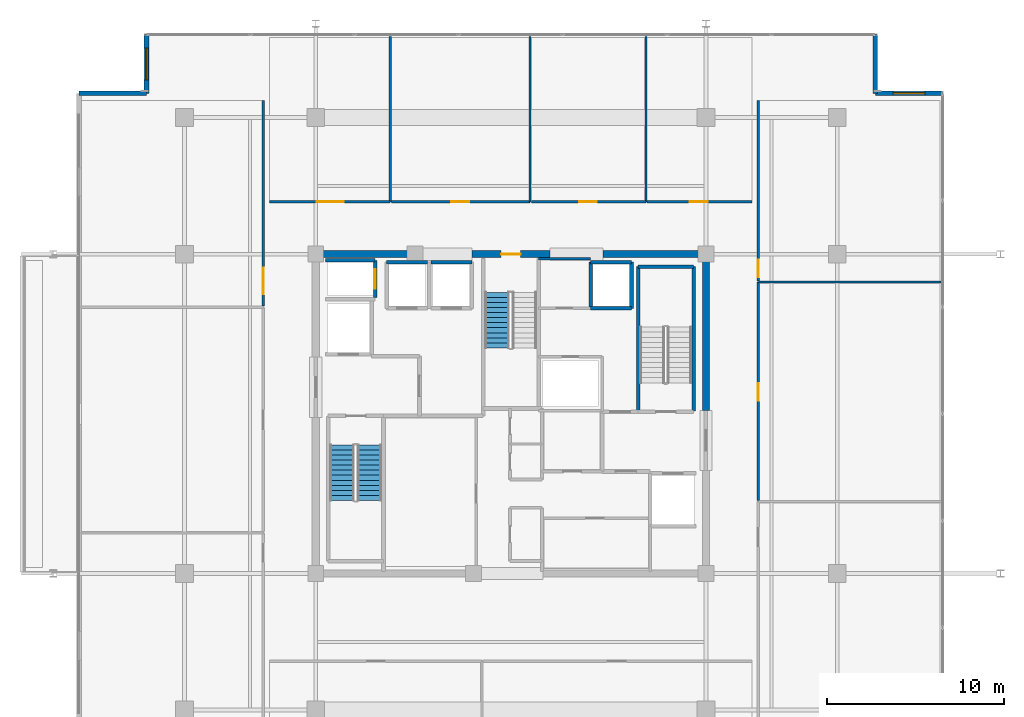
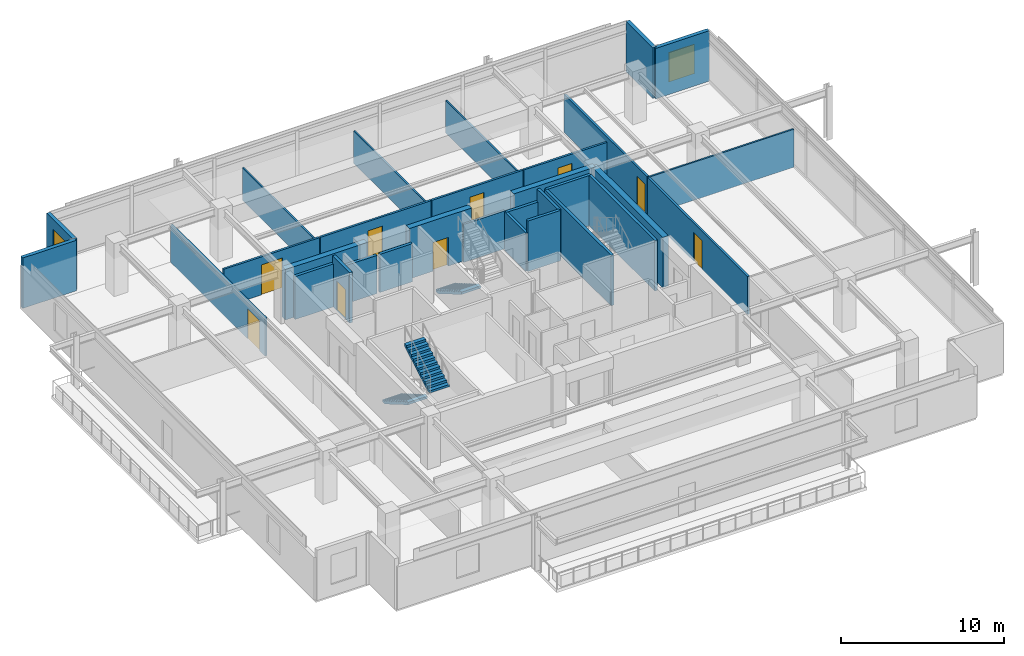
# One storey, part 16 of 21: 31 walls, 9 doors, 3 stair flights, 2 windows, 11 openings, 2 elements without a shape of their own.
"""IFC4 building model written with IfcOpenShell, lengths in metres."""

from ifc_helpers import new_model, si_unit, direction, frame, frame_2d, origin, place, context, subcontext, project, spatial, polyline, rectangle, outline, extrude, material, layer, layer_set, type_object, element, fill, aggregate, save


model = new_model("IFC4")

# Units and contexts
model_context = context("Model", 3, precision=1e-05, world=origin(), true_north=direction((0.0, 1.0)))
body_context = subcontext(model_context, "Body", "Model", "MODEL_VIEW")
ifc_project = project(units=[si_unit("LENGTHUNIT", "METRE"), si_unit("AREAUNIT", "SQUARE_METRE"), si_unit("VOLUMEUNIT", "CUBIC_METRE"), si_unit("PLANEANGLEUNIT", "RADIAN"), si_unit("MASSUNIT", "GRAM", prefix="KILO")], contexts=[model_context])

# Site, building, storey
site_placement = place(None, origin())
site = spatial("IfcSite", under=ifc_project, at=site_placement, CompositionType="ELEMENT")
building_placement = place(site_placement, origin())
building = spatial("IfcBuilding", under=site, at=building_placement, Name="Kovane Verandah Tower", CompositionType="ELEMENT")
storey_placement = place(building_placement, frame((0.0, 0.0, 310.800048828125)))
storey = spatial("IfcBuildingStorey", under=building, at=storey_placement, Name="L72", CompositionType="ELEMENT", Elevation=310.800048828125)

# Wall
ifc_material_1 = material(Name="Fire-Rated Gypsum Stud Partition", Category="gypsum")
ifc_layer_1 = layer(ifc_material_1, 0.14990234375)
ifc_layer_set_1 = layer_set([ifc_layer_1], Name="Fire-Rated Gypsum Stud Partition")
wall_type_1 = type_object("IfcWallType", Name="WL-COR-150", PredefinedType="PARTITIONING", material=ifc_layer_set_1)
wall_1_placement = place(storey_placement, frame((41.56005859375, 36.25, 0.0), z_axis=(0.0, 0.0, 1.0), x_axis=(1.0, 0.0, 0.0)))
element("IfcWall", 1, at=wall_1_placement, inside=storey, type_object=wall_type_1, Name="L72 Sky Telecom Riser North Wall", PredefinedType="PARTITIONING", context=body_context, shape_type="SweptSolid", body=[
    extrude(rectangle(XDim=2.93994140625, YDim=0.14990234375, at=frame_2d((1.469970703125, 0.0))), origin(), (0.0, 0.0, 1.0), 2.849853515625),
])

# Wall, opening, door
wall_2_placement = place(storey_placement, frame((26.39990234375, 39.449951171875, 0.0), z_axis=(0.0, 0.0, 1.0), x_axis=(1.0, 0.0, 0.0)))
wall_2 = element("IfcWall", 2, at=wall_2_placement, inside=storey, type_object=wall_type_1, Name="L72 Client Boardroom N1 Corridor Partition", PredefinedType="PARTITIONING", context=body_context, shape_type="SweptSolid", body=[
    extrude(rectangle(XDim=6.800048828125, YDim=0.14990234375, at=frame_2d((3.39990234375, 0.0))), origin(), (0.0, 0.0, 1.0), 2.849853515625),
])
opening_1_placement = place(wall_2_placement, frame((2.6650390625, 0.0, 0.0)))
opening_1 = element("IfcOpeningElement", 3, at=opening_1_placement, cuts=wall_2, Name="Opening DR-L72-019", PredefinedType="OPENING", context=body_context, shape_type="SweptSolid", body=[
    extrude(rectangle(XDim=1.5, YDim=2.25, at=frame_2d((0.75, 1.125))), frame((0.0, 0.074951171875, 0.0), z_axis=(0.0, -1.0, 0.0), x_axis=(1.0, 0.0, 0.0)), (0.0, 0.0, 1.0), 0.14990234375),
])
ifc_material_2 = material(Name="Glazed Timber Fire-Rated Double Door", Category="wood")
door_type_1 = type_object("IfcDoorType", Name="DR-CONF-1500", OperationType="DOUBLE_DOOR_SINGLE_SWING", PredefinedType="DOOR", material=ifc_material_2)
door_1_placement = place(opening_1_placement, origin())
door_1 = element("IfcDoor", 4, at=door_1_placement, inside=storey, type_object=door_type_1, Name="L72 Client Boardroom N1 Entrance Door", OperationType="DOUBLE_DOOR_SINGLE_SWING", OverallHeight=2.25, OverallWidth=1.5, PredefinedType="DOOR", context=body_context, shape_type="SweptSolid", body=[
    extrude(rectangle(XDim=1.5, YDim=2.25, at=frame_2d((0.75, 1.125))), frame((0.0, 0.02490234375, 0.0), z_axis=(0.0, -1.0, 0.0), x_axis=(1.0, 0.0, 0.0)), (0.0, 0.0, 1.0), 0.050048828125),
])
fill(opening_1, door_1)

wall_3_placement = place(storey_placement, frame((33.27001953125, 39.449951171875, 0.0), z_axis=(0.0, 0.0, 1.0), x_axis=(1.0, 0.0, 0.0)))
wall_3 = element("IfcWall", 5, at=wall_3_placement, inside=storey, type_object=wall_type_1, Name="L72 Meeting Room N2 Corridor Partition", PredefinedType="PARTITIONING", context=body_context, shape_type="SweptSolid", body=[
    extrude(rectangle(XDim=7.81787109375, YDim=0.14990234375, at=frame_2d((3.908935546875, 0.0))), origin(), (0.0, 0.0, 1.0), 2.849853515625),
])
opening_2_placement = place(wall_3_placement, frame((3.3740234375, 0.0, 0.0)))
opening_2 = element("IfcOpeningElement", 6, at=opening_2_placement, cuts=wall_3, Name="Opening DR-L72-020", PredefinedType="OPENING", context=body_context, shape_type="SweptSolid", body=[
    extrude(rectangle(XDim=1.0, YDim=2.14990234375, at=frame_2d((0.5, 1.074951171875))), frame((0.0, 0.074951171875, 0.0), z_axis=(0.0, -1.0, 0.0), x_axis=(1.0, 0.0, 0.0)), (0.0, 0.0, 1.0), 0.14990234375),
])
ifc_material_3 = material(Name="FSC Spotted-Gum Timber Fire-Rated Office Door", Category="wood")
door_type_2 = type_object("IfcDoorType", Name="DR-OFF-1000", OperationType="SINGLE_SWING_LEFT", PredefinedType="DOOR", material=ifc_material_3)
door_2_placement = place(opening_2_placement, origin())
door_2 = element("IfcDoor", 7, at=door_2_placement, inside=storey, type_object=door_type_2, Name="L72 Meeting Room N2 Entrance Door", OperationType="SINGLE_SWING_LEFT", OverallHeight=2.14990234375, OverallWidth=1.0, PredefinedType="DOOR", context=body_context, shape_type="SweptSolid", body=[
    extrude(rectangle(XDim=1.0, YDim=2.14990234375, at=frame_2d((0.5, 1.074951171875))), frame((0.0, 0.02490234375, 0.0), z_axis=(0.0, -1.0, 0.0), x_axis=(1.0, 0.0, 0.0)), (0.0, 0.0, 1.0), 0.050048828125),
])
fill(opening_2, door_2)

wall_4_placement = place(storey_placement, frame((41.157958984375, 39.449951171875, 0.0), z_axis=(0.0, 0.0, 1.0), x_axis=(1.0, 0.0, 0.0)))
wall_4 = element("IfcWall", 8, at=wall_4_placement, inside=storey, type_object=wall_type_1, Name="L72 Focus Studio N3 Corridor Partition", PredefinedType="PARTITIONING", context=body_context, shape_type="SweptSolid", body=[
    extrude(rectangle(XDim=6.4580078125, YDim=0.14990234375, at=frame_2d((3.22900390625, 0.0))), origin(), (0.0, 0.0, 1.0), 2.849853515625),
])
opening_3_placement = place(wall_4_placement, frame((2.694091796875, 0.0, 0.0)))
opening_3 = element("IfcOpeningElement", 9, at=opening_3_placement, cuts=wall_4, Name="Opening DR-L72-021", PredefinedType="OPENING", context=body_context, shape_type="SweptSolid", body=[
    extrude(rectangle(XDim=1.0, YDim=2.14990234375, at=frame_2d((0.5, 1.074951171875))), frame((0.0, 0.074951171875, 0.0), z_axis=(0.0, -1.0, 0.0), x_axis=(1.0, 0.0, 0.0)), (0.0, 0.0, 1.0), 0.14990234375),
])
door_3_placement = place(opening_3_placement, origin())
door_3 = element("IfcDoor", 10, at=door_3_placement, inside=storey, type_object=door_type_2, Name="L72 Focus Studio N3 Entrance Door", OperationType="SINGLE_SWING_RIGHT", OverallHeight=2.14990234375, OverallWidth=1.0, PredefinedType="DOOR", context=body_context, shape_type="SweptSolid", body=[
    extrude(rectangle(XDim=1.0, YDim=2.14990234375, at=frame_2d((0.5, 1.074951171875))), frame((0.0, 0.02490234375, 0.0), z_axis=(0.0, -1.0, 0.0), x_axis=(1.0, 0.0, 0.0)), (0.0, 0.0, 1.0), 0.050048828125),
])
fill(opening_3, door_3)

wall_5_placement = place(storey_placement, frame((47.68603515625, 39.449951171875, 0.0), z_axis=(0.0, 0.0, 1.0), x_axis=(1.0, 0.0, 0.0)))
wall_5 = element("IfcWall", 11, at=wall_5_placement, inside=storey, type_object=wall_type_1, Name="L72 Breakout Pantry N4 Corridor Partition", PredefinedType="PARTITIONING", context=body_context, shape_type="SweptSolid", body=[
    extrude(rectangle(XDim=5.9140625, YDim=0.14990234375, at=frame_2d((2.95703125, 0.0))), origin(), (0.0, 0.0, 1.0), 2.849853515625),
])
opening_4_placement = place(wall_5_placement, frame((2.406982421875, 0.0, 0.0)))
opening_4 = element("IfcOpeningElement", 12, at=opening_4_placement, cuts=wall_5, Name="Opening DR-L72-022", PredefinedType="OPENING", context=body_context, shape_type="SweptSolid", body=[
    extrude(rectangle(XDim=1.0, YDim=2.14990234375, at=frame_2d((0.5, 1.074951171875))), frame((0.0, 0.074951171875, 0.0), z_axis=(0.0, -1.0, 0.0), x_axis=(1.0, 0.0, 0.0)), (0.0, 0.0, 1.0), 0.14990234375),
])
door_4_placement = place(opening_4_placement, origin())
door_4 = element("IfcDoor", 13, at=door_4_placement, inside=storey, type_object=door_type_2, Name="L72 Breakout Pantry N4 Entrance Door", OperationType="SINGLE_SWING_LEFT", OverallHeight=2.14990234375, OverallWidth=1.0, PredefinedType="DOOR", context=body_context, shape_type="SweptSolid", body=[
    extrude(rectangle(XDim=1.0, YDim=2.14990234375, at=frame_2d((0.5, 1.074951171875))), frame((0.0, 0.02490234375, 0.0), z_axis=(0.0, -1.0, 0.0), x_axis=(1.0, 0.0, 0.0)), (0.0, 0.0, 1.0), 0.050048828125),
])
fill(opening_4, door_4)

wall_6_placement = place(storey_placement, frame((26.050048828125, 33.57861328125, 0.0), z_axis=(0.0, 0.0, 1.0), x_axis=(0.0, 1.0, 0.0)))
wall_6 = element("IfcWall", 14, at=wall_6_placement, inside=storey, type_object=wall_type_1, Name="L72 Client Boardroom W3 Corridor Partition", PredefinedType="PARTITIONING", context=body_context, shape_type="SweptSolid", body=[
    extrude(rectangle(XDim=11.593505859375, YDim=0.14990234375, at=frame_2d((5.796875, 0.0))), origin(), (0.0, 0.0, 1.0), 2.849853515625),
])
opening_5_placement = place(wall_6_placement, frame((0.660888671875, 0.0, 0.0)))
opening_5 = element("IfcOpeningElement", 15, at=opening_5_placement, cuts=wall_6, Name="Opening DR-L72-030", PredefinedType="OPENING", context=body_context, shape_type="SweptSolid", body=[
    extrude(rectangle(XDim=1.5, YDim=2.25, at=frame_2d((0.75, 1.125))), frame((0.0, 0.074951171875, 0.0), z_axis=(0.0, -1.0, 0.0), x_axis=(1.0, 0.0, 0.0)), (0.0, 0.0, 1.0), 0.14990234375),
])
door_5_placement = place(opening_5_placement, origin())
door_5 = element("IfcDoor", 16, at=door_5_placement, inside=storey, type_object=door_type_1, Name="L72 Client Boardroom W3 Entrance Door", OperationType="DOUBLE_DOOR_SINGLE_SWING", OverallHeight=2.25, OverallWidth=1.5, PredefinedType="DOOR", context=body_context, shape_type="SweptSolid", body=[
    extrude(rectangle(XDim=1.5, YDim=2.25, at=frame_2d((0.75, 1.125))), frame((0.0, 0.02490234375, 0.0), z_axis=(0.0, -1.0, 0.0), x_axis=(1.0, 0.0, 0.0)), (0.0, 0.0, 1.0), 0.050048828125),
])
fill(opening_5, door_5)

wall_7_placement = place(storey_placement, frame((53.949951171875, 22.621826171875, 0.0), z_axis=(0.0, 0.0, 1.0), x_axis=(0.0, 1.0, 0.0)))
wall_7 = element("IfcWall", 17, at=wall_7_placement, inside=storey, type_object=wall_type_1, Name="L72 Focus Studio E2 Corridor Partition", PredefinedType="PARTITIONING", context=body_context, shape_type="SweptSolid", body=[
    extrude(rectangle(XDim=12.300537109375, YDim=0.14990234375, at=frame_2d((6.150390625, 0.0))), origin(), (0.0, 0.0, 1.0), 2.849853515625),
])
opening_6_placement = place(wall_7_placement, frame((5.615234375, 0.0, 0.0)))
opening_6 = element("IfcOpeningElement", 18, at=opening_6_placement, cuts=wall_7, Name="Opening DR-L72-012", PredefinedType="OPENING", context=body_context, shape_type="SweptSolid", body=[
    extrude(rectangle(XDim=1.0, YDim=2.14990234375, at=frame_2d((0.5, 1.074951171875))), frame((0.0, 0.074951171875, 0.0), z_axis=(0.0, -1.0, 0.0), x_axis=(1.0, 0.0, 0.0)), (0.0, 0.0, 1.0), 0.14990234375),
])
door_6_placement = place(opening_6_placement, origin())
door_6 = element("IfcDoor", 19, at=door_6_placement, inside=storey, type_object=door_type_2, Name="L72 Focus Studio E2 Entrance Door", OperationType="SINGLE_SWING_RIGHT", OverallHeight=2.14990234375, OverallWidth=1.0, PredefinedType="DOOR", context=body_context, shape_type="SweptSolid", body=[
    extrude(rectangle(XDim=1.0, YDim=2.14990234375, at=frame_2d((0.5, 1.074951171875))), frame((0.0, 0.02490234375, 0.0), z_axis=(0.0, -1.0, 0.0), x_axis=(1.0, 0.0, 0.0)), (0.0, 0.0, 1.0), 0.050048828125),
])
fill(opening_6, door_6)

wall_8_placement = place(storey_placement, frame((53.949951171875, 34.9921875, 0.0), z_axis=(0.0, 0.0, 1.0), x_axis=(0.0, 1.0, 0.0)))
wall_8 = element("IfcWall", 20, at=wall_8_placement, inside=storey, type_object=wall_type_1, Name="L72 Breakout Pantry E3 Corridor Partition", PredefinedType="PARTITIONING", context=body_context, shape_type="SweptSolid", body=[
    extrude(rectangle(XDim=10.179931640625, YDim=0.14990234375, at=frame_2d((5.08984375, 0.0))), origin(), (0.0, 0.0, 1.0), 2.849853515625),
])
opening_7_placement = place(wall_8_placement, frame((0.203857421875, 0.0, 0.0)))
opening_7 = element("IfcOpeningElement", 21, at=opening_7_placement, cuts=wall_8, Name="Opening DR-L72-013", PredefinedType="OPENING", context=body_context, shape_type="SweptSolid", body=[
    extrude(rectangle(XDim=1.0, YDim=2.14990234375, at=frame_2d((0.5, 1.074951171875))), frame((0.0, 0.074951171875, 0.0), z_axis=(0.0, -1.0, 0.0), x_axis=(1.0, 0.0, 0.0)), (0.0, 0.0, 1.0), 0.14990234375),
])
door_7_placement = place(opening_7_placement, origin())
door_7 = element("IfcDoor", 22, at=door_7_placement, inside=storey, type_object=door_type_2, Name="L72 Breakout Pantry E3 Entrance Door", OperationType="SINGLE_SWING_LEFT", OverallHeight=2.14990234375, OverallWidth=1.0, PredefinedType="DOOR", context=body_context, shape_type="SweptSolid", body=[
    extrude(rectangle(XDim=1.0, YDim=2.14990234375, at=frame_2d((0.5, 1.074951171875))), frame((0.0, 0.02490234375, 0.0), z_axis=(0.0, -1.0, 0.0), x_axis=(1.0, 0.0, 0.0)), (0.0, 0.0, 1.0), 0.050048828125),
])
fill(opening_7, door_7)

# Wall
ifc_material_4 = material(Name="Concrete C60/75", Category="concrete")
ifc_layer_2 = layer(ifc_material_4, 0.39990234375)
ifc_layer_set_2 = layer_set([ifc_layer_2], Name="Concrete C60/75")
wall_type_2 = type_object("IfcWallType", Name="WL-CORE-400", PredefinedType="SHEAR", material=ifc_layer_set_2)
wall_9_placement = place(storey_placement, frame((29.0, 36.5, 0.0), z_axis=(0.0, 0.0, 1.0), x_axis=(1.0, 0.0, 0.0)))
element("IfcWall", 23, at=wall_9_placement, inside=storey, type_object=wall_type_2, Name="L72 Core Shear Wall CN-1", PredefinedType="SHEAR", context=body_context, shape_type="SweptSolid", body=[
    extrude(rectangle(XDim=5.800048828125, YDim=0.39990234375, at=frame_2d((2.89990234375, 0.0))), origin(), (0.0, 0.0, 1.0), 3.784912109375),
])

# Wall, opening, door
wall_10_placement = place(storey_placement, frame((37.800048828125, 36.5, 0.0), z_axis=(0.0, 0.0, 1.0), x_axis=(1.0, 0.0, 0.0)))
wall_10 = element("IfcWall", 24, at=wall_10_placement, inside=storey, type_object=wall_type_2, Name="L72 Core Shear Wall CN-2", PredefinedType="SHEAR", context=body_context, shape_type="SweptSolid", body=[
    extrude(rectangle(XDim=4.39990234375, YDim=0.39990234375, at=frame_2d((2.199951171875, 0.0))), origin(), (0.0, 0.0, 1.0), 3.784912109375),
])
opening_8_placement = place(wall_10_placement, frame((1.64990234375, 0.0, 0.0)))
opening_8 = element("IfcOpeningElement", 25, at=opening_8_placement, cuts=wall_10, Name="Opening DR-L72-010", PredefinedType="OPENING", context=body_context, shape_type="SweptSolid", body=[
    extrude(rectangle(XDim=1.10009765625, YDim=2.14990234375, at=frame_2d((0.550048828125, 1.074951171875))), frame((0.0, 0.199951171875, 0.0), z_axis=(0.0, -1.0, 0.0), x_axis=(1.0, 0.0, 0.0)), (0.0, 0.0, 1.0), 0.39990234375),
])
ifc_material_5 = material(Name="Fire-Rated Steel Exit Door", Category="steel")
door_type_3 = type_object("IfcDoorType", Name="DR-STAIR-1100", OperationType="SINGLE_SWING_LEFT", PredefinedType="DOOR", material=ifc_material_5)
door_8_placement = place(opening_8_placement, origin())
door_8 = element("IfcDoor", 26, at=door_8_placement, inside=storey, type_object=door_type_3, Name="L72 ST-03 Fire Exit Stair Door", OperationType="SINGLE_SWING_LEFT", OverallHeight=2.14990234375, OverallWidth=1.10009765625, PredefinedType="DOOR", context=body_context, shape_type="SweptSolid", body=[
    extrude(rectangle(XDim=1.10009765625, YDim=2.14990234375, at=frame_2d((0.550048828125, 1.074951171875))), frame((0.0, 0.02490234375, 0.0), z_axis=(0.0, -1.0, 0.0), x_axis=(1.0, 0.0, 0.0)), (0.0, 0.0, 1.0), 0.050048828125),
])
fill(opening_8, door_8)

# Walls
wall_11_placement = place(storey_placement, frame((45.199951171875, 36.5, 0.0), z_axis=(0.0, 0.0, 1.0), x_axis=(1.0, 0.0, 0.0)))
element("IfcWall", 27, at=wall_11_placement, inside=storey, type_object=wall_type_2, Name="L72 Core Shear Wall CN-3", PredefinedType="SHEAR", context=body_context, shape_type="SweptSolid", body=[
    extrude(rectangle(XDim=5.800048828125, YDim=0.39990234375, at=frame_2d((2.89990234375, 0.0))), origin(), (0.0, 0.0, 1.0), 3.784912109375),
])
wall_12_placement = place(storey_placement, frame((51.0, 27.699951171875, 0.0), z_axis=(0.0, 0.0, 1.0), x_axis=(0.0, 1.0, 0.0)))
element("IfcWall", 28, at=wall_12_placement, inside=storey, type_object=wall_type_2, Name="L72 Core Shear Wall CE-2", PredefinedType="SHEAR", context=body_context, shape_type="SweptSolid", body=[
    extrude(rectangle(XDim=8.800048828125, YDim=0.39990234375, at=frame_2d((4.39990234375, 0.0))), origin(), (0.0, 0.0, 1.0), 3.784912109375),
])
ifc_material_6 = material(Name="Concrete C45/55 Lift Shaft Wall", Category="concrete")
ifc_layer_3 = layer(ifc_material_6, 0.199951171875)
ifc_layer_set_3 = layer_set([ifc_layer_3], Name="Concrete C45/55 Lift Shaft Wall")
wall_type_3 = type_object("IfcWallType", Name="WL-LIFT-200", PredefinedType="SOLIDWALL", material=ifc_layer_set_3)
wall_13_placement = place(storey_placement, frame((32.35009765625, 36.14990234375, 0.0), z_axis=(0.0, 0.0, 1.0), x_axis=(-1.0, 0.0, 0.0)))
element("IfcWall", 29, at=wall_13_placement, inside=storey, type_object=wall_type_3, Name="L72 Lift GL-01 N Shaft Wall", PredefinedType="SOLIDWALL", context=body_context, shape_type="SweptSolid", body=[
    extrude(rectangle(XDim=2.800048828125, YDim=0.199951171875, at=frame_2d((1.39990234375, 0.0))), origin(), (0.0, 0.0, 1.0), 3.220458984375),
])

# Wall, opening, door
wall_14_placement = place(storey_placement, frame((32.35009765625, 34.050048828125, 0.0), z_axis=(0.0, 0.0, 1.0), x_axis=(0.0, 1.0, 0.0)))
wall_14 = element("IfcWall", 30, at=wall_14_placement, inside=storey, type_object=wall_type_3, Name="L72 Lift GL-01 E Shaft Wall", PredefinedType="SOLIDWALL", context=body_context, shape_type="SweptSolid", body=[
    extrude(rectangle(XDim=2.099853515625, YDim=0.199951171875, at=frame_2d((1.0498046875, 0.0))), origin(), (0.0, 0.0, 1.0), 3.784912109375),
])
opening_9_placement = place(wall_14_placement, frame((0.5, 0.0, 0.0)))
opening_9 = element("IfcOpeningElement", 31, at=opening_9_placement, cuts=wall_14, Name="Opening LD-L72-003", PredefinedType="OPENING", context=body_context, shape_type="SweptSolid", body=[
    extrude(rectangle(XDim=1.10009765625, YDim=2.199951171875, at=frame_2d((0.550048828125, 1.10009765625))), frame((0.0, 0.10009765625, 0.0), z_axis=(0.0, -1.0, 0.0), x_axis=(1.0, 0.0, 0.0)), (0.0, 0.0, 1.0), 0.199951171875),
])
ifc_material_7 = material(Name="Brushed Stainless Steel Sliding Lift Landing Door", Category="steel")
door_type_4 = type_object("IfcDoorType", Name="DR-LIFT-1100", OperationType="SLIDING_TO_RIGHT", PredefinedType="DOOR", material=ifc_material_7)
door_9_placement = place(opening_9_placement, origin())
door_9 = element("IfcDoor", 32, at=door_9_placement, inside=storey, type_object=door_type_4, Name="L72 Lift GL-01 Sliding Landing Door", OperationType="SLIDING_TO_RIGHT", OverallHeight=2.199951171875, OverallWidth=1.10009765625, PredefinedType="DOOR", context=body_context, shape_type="SweptSolid", body=[
    extrude(rectangle(XDim=1.10009765625, YDim=2.199951171875, at=frame_2d((0.550048828125, 1.10009765625))), frame((0.0, 0.02490234375, 0.0), z_axis=(0.0, -1.0, 0.0), x_axis=(1.0, 0.0, 0.0)), (0.0, 0.0, 1.0), 0.050048828125),
])
fill(opening_9, door_9)

# Walls
for number, where, z_axis, x_axis, name in (
    (33, (35.300048828125, 36.050048828125, 0.0), (0.0, 0.0, 1.0), (-1.0, 0.0, 0.0), "L72 Lift PL-H1 N Shaft Wall"),
    (34, (37.800048828125, 36.050048828125, 0.0), (0.0, 0.0, 1.0), (-1.0, 0.0, 0.0), "L72 Lift PL-H2 N Shaft Wall"),
):
    element("IfcWall", number, at=place(storey_placement, frame(where, z_axis=z_axis, x_axis=x_axis)), inside=storey, type_object=wall_type_3, Name=name, PredefinedType="SOLIDWALL", context=body_context, shape_type="SweptSolid", body=[
        extrude(rectangle(XDim=2.300048828125, YDim=0.199951171875, at=frame_2d((1.14990234375, 0.0))), origin(), (0.0, 0.0, 1.0), 2.864990234375),
    ])
wall_15_placement = place(storey_placement, frame((44.5, 33.449951171875, 0.0), z_axis=(0.0, 0.0, 1.0), x_axis=(1.0, 0.0, 0.0)))
element("IfcWall", 35, at=wall_15_placement, inside=storey, type_object=wall_type_3, Name="L72 Lift OL-01 S Shaft Wall", PredefinedType="SOLIDWALL", context=body_context, shape_type="SweptSolid", body=[
    extrude(rectangle(XDim=2.300048828125, YDim=0.199951171875, at=frame_2d((1.14990234375, 0.0))), origin(), (0.0, 0.0, 1.0), 3.784912109375),
])
wall_16_placement = place(storey_placement, frame((46.800048828125, 36.050048828125, 0.0), z_axis=(0.0, 0.0, 1.0), x_axis=(-1.0, 0.0, 0.0)))
element("IfcWall", 36, at=wall_16_placement, inside=storey, type_object=wall_type_3, Name="L72 Lift OL-01 N Shaft Wall", PredefinedType="SOLIDWALL", context=body_context, shape_type="SweptSolid", body=[
    extrude(rectangle(XDim=2.300048828125, YDim=0.199951171875, at=frame_2d((1.14990234375, 0.0))), origin(), (0.0, 0.0, 1.0), 2.864990234375),
])
wall_17_placement = place(storey_placement, frame((44.5, 36.050048828125, 0.0), z_axis=(0.0, 0.0, 1.0), x_axis=(0.0, -1.0, 0.0)))
element("IfcWall", 37, at=wall_17_placement, inside=storey, type_object=wall_type_3, Name="L72 Lift OL-01 W Shaft Wall", PredefinedType="SOLIDWALL", context=body_context, shape_type="SweptSolid", body=[
    extrude(rectangle(XDim=2.60009765625, YDim=0.199951171875, at=frame_2d((1.300048828125, 0.0))), origin(), (0.0, 0.0, 1.0), 2.864990234375),
])
wall_18_placement = place(storey_placement, frame((46.800048828125, 33.449951171875, 0.0), z_axis=(0.0, 0.0, 1.0), x_axis=(0.0, 1.0, 0.0)))
element("IfcWall", 38, at=wall_18_placement, inside=storey, type_object=wall_type_3, Name="L72 Lift OL-01 E Shaft Wall", PredefinedType="SOLIDWALL", context=body_context, shape_type="SweptSolid", body=[
    extrude(rectangle(XDim=2.60009765625, YDim=0.199951171875, at=frame_2d((1.300048828125, 0.0))), origin(), (0.0, 0.0, 1.0), 3.784912109375),
])
ifc_material_8 = material(Name="Acoustic Fire-Rated Gypsum Partition", Category="gypsum")
ifc_layer_4 = layer(ifc_material_8, 0.1201171875)
ifc_layer_set_4 = layer_set([ifc_layer_4], Name="Acoustic Fire-Rated Gypsum Partition")
wall_type_4 = type_object("IfcWallType", Name="WL-PART-120", PredefinedType="PARTITIONING", material=ifc_layer_set_4)
for number, where, z_axis, x_axis, name in (
    (39, (33.199951171875, 39.449951171875, 0.0), (0.0, 0.0, 1.0), (0.0, 1.0, 0.0), "L72 Client Boardroom N1 Dividing Partition"),
    (40, (41.087890625, 39.449951171875, 0.0), (0.0, 0.0, 1.0), (0.0, 1.0, 0.0), "L72 Meeting Room N2 Dividing Partition"),
    (41, (47.615966796875, 39.449951171875, 0.0), (0.0, 0.0, 1.0), (0.0, 1.0, 0.0), "L72 Focus Studio N3 Dividing Partition"),
):
    element("IfcWall", number, at=place(storey_placement, frame(where, z_axis=z_axis, x_axis=x_axis)), inside=storey, type_object=wall_type_4, Name=name, PredefinedType="PARTITIONING", context=body_context, shape_type="SweptSolid", body=[
        extrude(rectangle(XDim=9.322265625, YDim=0.1201171875, at=frame_2d((4.6611328125, 0.0))), origin(), (0.0, 0.0, 1.0), 2.4150390625),
    ])
wall_19_placement = place(storey_placement, frame((53.949951171875, 34.92236328125, 0.0), z_axis=(0.0, 0.0, 1.0), x_axis=(1.0, 0.0, 0.0)))
element("IfcWall", 42, at=wall_19_placement, inside=storey, type_object=wall_type_4, Name="L72 Focus Studio E2 Dividing Partition", PredefinedType="PARTITIONING", context=body_context, shape_type="SweptSolid", body=[
    extrude(rectangle(XDim=10.29443359375, YDim=0.1201171875, at=frame_2d((5.147216796875, 0.0))), origin(), (0.0, 0.0, 1.0), 2.849853515625),
])
ifc_material_9 = material(Name="Concrete C45/55", Category="concrete")
ifc_layer_5 = layer(ifc_material_9, 0.199951171875)
ifc_layer_set_5 = layer_set([ifc_layer_5], Name="Concrete C45/55")
wall_type_5 = type_object("IfcWallType", Name="WL-SHAFT-200", PredefinedType="SOLIDWALL", material=ifc_layer_set_5)
wall_20_placement = place(storey_placement, frame((50.300048828125, 27.64990234375, 0.0), z_axis=(0.0, 0.0, 1.0), x_axis=(0.0, 1.0, 0.0)))
element("IfcWall", 43, at=wall_20_placement, inside=storey, type_object=wall_type_5, Name="W-L72-ST02-E", PredefinedType="SOLIDWALL", context=body_context, shape_type="SweptSolid", body=[
    extrude(rectangle(XDim=8.150146484375, YDim=0.199951171875, at=frame_2d((4.0751953125, 0.0))), origin(), (0.0, 0.0, 1.0), 3.784912109375),
])
wall_21_placement = place(storey_placement, frame((47.179931640625, 35.800048828125, 0.0), z_axis=(0.0, 0.0, 1.0), x_axis=(1.0, 0.0, 0.0)))
element("IfcWall", 44, at=wall_21_placement, inside=storey, type_object=wall_type_5, Name="W-L72-ST02-N", PredefinedType="SOLIDWALL", context=body_context, shape_type="SweptSolid", body=[
    extrude(rectangle(XDim=3.1201171875, YDim=0.199951171875, at=frame_2d((1.56005859375, 0.0))), origin(), (0.0, 0.0, 1.0), 3.784912109375),
])
wall_22_placement = place(storey_placement, frame((47.179931640625, 27.6201171875, 0.0), z_axis=(0.0, 0.0, 1.0), x_axis=(0.0, 1.0, 0.0)))
element("IfcWall", 45, at=wall_22_placement, inside=storey, type_object=wall_type_5, Name="W-L72-ST02-W", PredefinedType="SOLIDWALL", context=body_context, shape_type="SweptSolid", body=[
    extrude(rectangle(XDim=8.179931640625, YDim=0.199951171875, at=frame_2d((4.08984375, 0.0))), origin(), (0.0, 0.0, 1.0), 3.784912109375),
])

# Wall, opening, window
ifc_material_10 = material(Name="Concrete C45/55 Insulated Spandrel Wall", Category="concrete")
ifc_layer_6 = layer(ifc_material_10, 0.260009765625)
ifc_layer_set_6 = layer_set([ifc_layer_6], Name="Concrete C45/55 Insulated Spandrel Wall")
wall_type_6 = type_object("IfcWallType", Name="WL-SPANDREL-260", PredefinedType="PARAPET", material=ifc_layer_set_6)
wall_23_placement = place(storey_placement, frame((64.344482421875, 45.572265625, 0.0), z_axis=(0.0, 0.0, 1.0), x_axis=(-1.0, 0.0, 0.0)))
wall_23 = element("IfcWall", 46, at=wall_23_placement, inside=storey, type_object=wall_type_6, Name="L72 NE Notch Cheek Wall 1", PredefinedType="PARAPET", context=body_context, shape_type="SweptSolid", body=[
    extrude(rectangle(XDim=3.800048828125, YDim=0.260009765625, at=frame_2d((1.89990234375, 0.0))), origin(), (0.0, 0.0, 1.0), 3.784912109375),
])
opening_10_placement = place(wall_23_placement, frame((1.0, 0.0, 0.85009765625)))
opening_10 = element("IfcOpeningElement", 47, at=opening_10_placement, cuts=wall_23, Name="Opening W-03", PredefinedType="OPENING", context=body_context, shape_type="SweptSolid", body=[
    extrude(rectangle(XDim=1.800048828125, YDim=2.199951171875, at=frame_2d((0.89990234375, 1.10009765625))), frame((0.0, 0.1298828125, 0.0), z_axis=(0.0, -1.0, 0.0), x_axis=(1.0, 0.0, 0.0)), (0.0, 0.0, 1.0), 0.260009765625),
])
ifc_material_11 = material(Name="Clear Low-E Laminated Double Glazing in Anodised Frame", Category="glass")
window_type = type_object("IfcWindowType", Name="WN-NOTCH-1800x2200", PartitioningType="SINGLE_PANEL", PredefinedType="WINDOW", material=ifc_material_11)
window_1_placement = place(opening_10_placement, origin())
window_1 = element("IfcWindow", 48, at=window_1_placement, inside=storey, type_object=window_type, Name="L72 NE Re-Entrant Corner Operable Window", OverallHeight=2.199951171875, OverallWidth=1.800048828125, PartitioningType="SINGLE_PANEL", PredefinedType="WINDOW", context=body_context, shape_type="SweptSolid", body=[
    extrude(rectangle(XDim=1.800048828125, YDim=2.199951171875, at=frame_2d((0.89990234375, 1.10009765625))), frame((0.0, 0.030029296875, 0.0), z_axis=(0.0, -1.0, 0.0), x_axis=(1.0, 0.0, 0.0)), (0.0, 0.0, 1.0), 0.06005859375),
])
fill(opening_10, window_1)

# Wall
wall_24_placement = place(storey_placement, frame((60.54443359375, 45.572265625, 0.0), z_axis=(0.0, 0.0, 1.0), x_axis=(0.0, 1.0, 0.0)))
element("IfcWall", 49, at=wall_24_placement, inside=storey, type_object=wall_type_6, Name="L72 NE Notch Cheek Wall 2", PredefinedType="PARAPET", context=body_context, shape_type="SweptSolid", body=[
    extrude(rectangle(XDim=3.300048828125, YDim=0.260009765625, at=frame_2d((1.64990234375, 0.0))), origin(), (0.0, 0.0, 1.0), 3.784912109375),
])

# Wall, opening, window
wall_25_placement = place(storey_placement, frame((19.45556640625, 48.872314453125, 0.0), z_axis=(0.0, 0.0, 1.0), x_axis=(0.0, -1.0, 0.0)))
wall_25 = element("IfcWall", 50, at=wall_25_placement, inside=storey, type_object=wall_type_6, Name="L72 NW Notch Cheek Wall 1", PredefinedType="PARAPET", context=body_context, shape_type="SweptSolid", body=[
    extrude(rectangle(XDim=3.300048828125, YDim=0.260009765625, at=frame_2d((1.64990234375, 0.0))), origin(), (0.0, 0.0, 1.0), 3.784912109375),
])
opening_11_placement = place(wall_25_placement, frame((0.75, 0.0, 0.85009765625)))
opening_11 = element("IfcOpeningElement", 51, at=opening_11_placement, cuts=wall_25, Name="Opening W-03", PredefinedType="OPENING", context=body_context, shape_type="SweptSolid", body=[
    extrude(rectangle(XDim=1.800048828125, YDim=2.199951171875, at=frame_2d((0.89990234375, 1.10009765625))), frame((0.0, 0.1298828125, 0.0), z_axis=(0.0, -1.0, 0.0), x_axis=(1.0, 0.0, 0.0)), (0.0, 0.0, 1.0), 0.260009765625),
])
window_2_placement = place(opening_11_placement, origin())
window_2 = element("IfcWindow", 52, at=window_2_placement, inside=storey, type_object=window_type, Name="L72 NW Re-Entrant Corner Operable Window", OverallHeight=2.199951171875, OverallWidth=1.800048828125, PartitioningType="SINGLE_PANEL", PredefinedType="WINDOW", context=body_context, shape_type="SweptSolid", body=[
    extrude(rectangle(XDim=1.800048828125, YDim=2.199951171875, at=frame_2d((0.89990234375, 1.10009765625))), frame((0.0, 0.030029296875, 0.0), z_axis=(0.0, -1.0, 0.0), x_axis=(1.0, 0.0, 0.0)), (0.0, 0.0, 1.0), 0.06005859375),
])
fill(opening_11, window_2)

# Wall
wall_26_placement = place(storey_placement, frame((19.45556640625, 45.572265625, 0.0), z_axis=(0.0, 0.0, 1.0), x_axis=(-1.0, 0.0, 0.0)))
element("IfcWall", 53, at=wall_26_placement, inside=storey, type_object=wall_type_6, Name="L72 NW Notch Cheek Wall 2", PredefinedType="PARAPET", context=body_context, shape_type="SweptSolid", body=[
    extrude(rectangle(XDim=3.800048828125, YDim=0.260009765625, at=frame_2d((1.89990234375, 0.0))), origin(), (0.0, 0.0, 1.0), 3.784912109375),
])

# Stair, stair flights
stair_type = type_object("IfcStairType", Name="ST-CORE-1380", PredefinedType="HALF_TURN_STAIR", material=ifc_material_9)
stair_1_placement = place(storey_placement, origin())
stair_1 = element("IfcStair", 54, at=stair_1_placement, inside=storey, type_object=stair_type, Name="L72 Exit Stair ST-01", PredefinedType="HALF_TURN_STAIR")
stair_flight_type = type_object("IfcStairFlightType", Name="STF-CORE-1380", PredefinedType="STRAIGHT", material=ifc_material_9)
stair_flight_1_placement = place(storey_placement, frame((30.489990234375, 25.75, 0.0), z_axis=(0.0, 0.0, 1.0), x_axis=(0.0, -1.0, 0.0)))
stair_flight_1 = element("IfcStairFlight", 55, at=stair_flight_1_placement, type_object=stair_flight_type, Name="ST-01 flight 1", NumberOfRisers=12, NumberOfTreads=11, PredefinedType="STRAIGHT", RiserHeight=0.166666667, TreadLength=0.285, context=body_context, shape_type="SweptSolid", body=[
    extrude(outline(polyline([(0.0, 0.0), (0.0, 0.166748046875), (0.284912109375, 0.166748046875), (0.284912109375, 0.333251953125), (0.570068359375, 0.333251953125), (0.570068359375, 0.5), (0.85498046875, 0.5), (0.85498046875, 0.666748046875), (1.139892578125, 0.666748046875), (1.139892578125, 0.833251953125), (1.425048828125, 0.833251953125), (1.425048828125, 1.0), (1.7099609375, 1.0), (1.7099609375, 1.166748046875), (1.9951171875, 1.166748046875), (1.9951171875, 1.333251953125), (2.280029296875, 1.333251953125), (2.280029296875, 1.5), (2.56494140625, 1.5), (2.56494140625, 1.666748046875), (2.85009765625, 1.666748046875), (2.85009765625, 1.833251953125), (3.135009765625, 1.833251953125), (3.135009765625, 2.0), (3.135009765625, 1.65966796875), (0.296875, 0.0), (0.0, 0.0)])), frame((0.0, 0.68994140625, 0.0), z_axis=(0.0, -1.0, 0.0), x_axis=(1.0, 0.0, 0.0)), (0.0, 0.0, 1.0), 1.3798828125),
])
stair_flight_2_placement = place(storey_placement, frame((32.030029296875, 22.614990234375, 2.0), z_axis=(0.0, 0.0, 1.0), x_axis=(0.0, 1.0, 0.0)))
stair_flight_2 = element("IfcStairFlight", 56, at=stair_flight_2_placement, type_object=stair_flight_type, Name="ST-01 flight 2", NumberOfRisers=12, NumberOfTreads=11, PredefinedType="STRAIGHT", RiserHeight=0.166666667, TreadLength=0.285, context=body_context, shape_type="SweptSolid", body=[
    extrude(outline(polyline([(0.0, 0.0), (0.0, 0.166748046875), (0.284912109375, 0.166748046875), (0.284912109375, 0.333251953125), (0.570068359375, 0.333251953125), (0.570068359375, 0.5), (0.85498046875, 0.5), (0.85498046875, 0.666748046875), (1.139892578125, 0.666748046875), (1.139892578125, 0.833251953125), (1.425048828125, 0.833251953125), (1.425048828125, 1.0), (1.7099609375, 1.0), (1.7099609375, 1.166748046875), (1.9951171875, 1.166748046875), (1.9951171875, 1.333251953125), (2.280029296875, 1.333251953125), (2.280029296875, 1.5), (2.56494140625, 1.5), (2.56494140625, 1.666748046875), (2.85009765625, 1.666748046875), (2.85009765625, 1.833251953125), (3.135009765625, 1.833251953125), (3.135009765625, 2.0), (3.135009765625, 1.65966796875), (0.296875, 0.0), (0.0, 0.0)])), frame((0.0, 0.68994140625, 0.0), z_axis=(0.0, -1.0, 0.0), x_axis=(1.0, 0.0, 0.0)), (0.0, 0.0, 1.0), 1.3798828125),
])
aggregate(stair_1, [stair_flight_1, stair_flight_2])

# Stair, stair flight
stair_2_placement = place(storey_placement, origin())
stair_2 = element("IfcStair", 57, at=stair_2_placement, inside=storey, type_object=stair_type, Name="L72 Exit Stair ST-03", PredefinedType="HALF_TURN_STAIR")
stair_flight_3_placement = place(storey_placement, frame((39.22998046875, 34.35009765625, 0.0), z_axis=(0.0, 0.0, 1.0), x_axis=(0.0, -1.0, 0.0)))
stair_flight_3 = element("IfcStairFlight", 58, at=stair_flight_3_placement, type_object=stair_flight_type, Name="ST-03 flight 1", NumberOfRisers=12, NumberOfTreads=11, PredefinedType="STRAIGHT", RiserHeight=0.166666667, TreadLength=0.285, context=body_context, shape_type="SweptSolid", body=[
    extrude(outline(polyline([(0.0, 0.0), (0.0, 0.166748046875), (0.284912109375, 0.166748046875), (0.284912109375, 0.333251953125), (0.570068359375, 0.333251953125), (0.570068359375, 0.5), (0.85498046875, 0.5), (0.85498046875, 0.666748046875), (1.139892578125, 0.666748046875), (1.139892578125, 0.833251953125), (1.425048828125, 0.833251953125), (1.425048828125, 1.0), (1.7099609375, 1.0), (1.7099609375, 1.166748046875), (1.9951171875, 1.166748046875), (1.9951171875, 1.333251953125), (2.280029296875, 1.333251953125), (2.280029296875, 1.5), (2.56494140625, 1.5), (2.56494140625, 1.666748046875), (2.85009765625, 1.666748046875), (2.85009765625, 1.833251953125), (3.135009765625, 1.833251953125), (3.135009765625, 2.0), (3.135009765625, 1.65966796875), (0.296875, 0.0), (0.0, 0.0)])), frame((0.0, 0.68994140625, 0.0), z_axis=(0.0, -1.0, 0.0), x_axis=(1.0, 0.0, 0.0)), (0.0, 0.0, 1.0), 1.3798828125),
])
aggregate(stair_2, [stair_flight_3])

save(model, "model.ifc")
